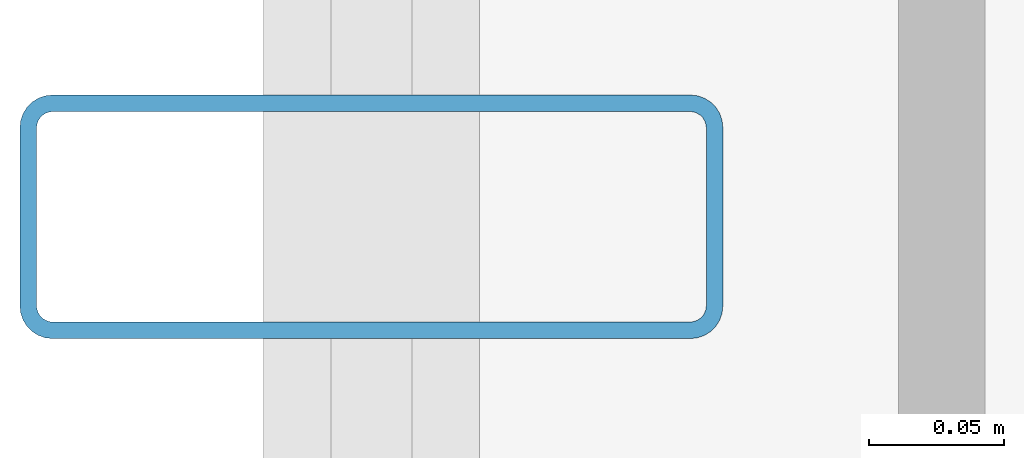
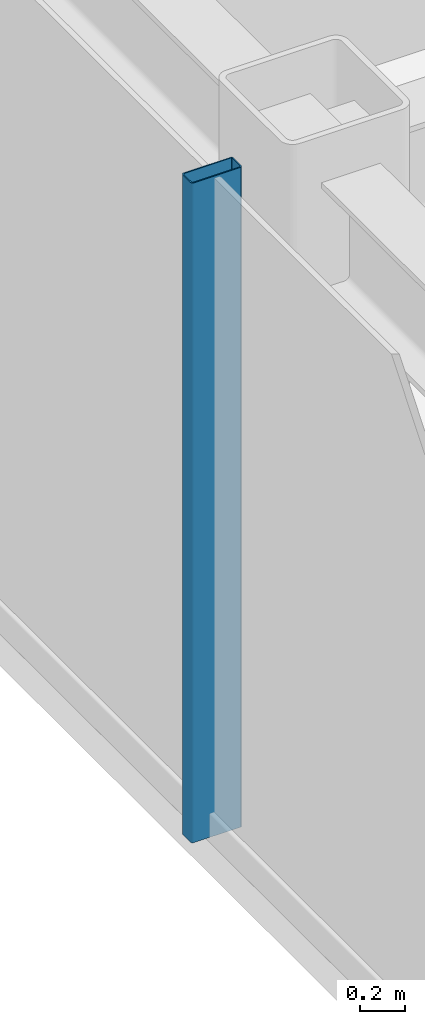
# One storey, part 4 of 18: 1 member, 1 element without a shape of its own.
"""IFC4 building model written with IfcOpenShell, lengths in metres."""

from ifc_helpers import new_model, si_unit, direction, frame, origin, origin_2d, place, context, subcontext, project, spatial, hollow_rectangle, extrude, source, transform, mapped, material, layer, layer_set, material_profile, profile_set, type_object, element, aggregate, save


model = new_model("IFC4")

# Units and contexts
model_context = context("Model", 3, precision=1e-05, world=origin(), true_north=direction((0.0, 1.0)))
body_context = subcontext(model_context, "Body", "Model", "MODEL_VIEW")
ifc_project = project(units=[si_unit("LENGTHUNIT", "METRE"), si_unit("AREAUNIT", "SQUARE_METRE"), si_unit("VOLUMEUNIT", "CUBIC_METRE"), si_unit("PLANEANGLEUNIT", "RADIAN"), si_unit("MASSUNIT", "GRAM", prefix="KILO")], contexts=[model_context])

# Site, building, storey
site_placement = place(None, origin())
site = spatial("IfcSite", under=ifc_project, at=site_placement, CompositionType="ELEMENT")
building_placement = place(site_placement, origin())
building = spatial("IfcBuilding", under=site, at=building_placement, Name="Nefas-Gora Pilgrimage Tower", CompositionType="ELEMENT")
storey_placement = place(building_placement, frame((0.0, 0.0, 283.60009765625)))
storey = spatial("IfcBuildingStorey", under=building, at=storey_placement, Name="L71", CompositionType="ELEMENT", Elevation=283.60009765625)

# Curtain wall, member
ifc_material_1 = material(Name="Dark ceramic-fritted solar-control aluminium-glass curtain wall", Category="aluminium")
ifc_layer = layer(ifc_material_1, 0.219970703125)
ifc_layer_set = layer_set([ifc_layer], Name="Dark ceramic-fritted solar-control aluminium-glass curtain wall")
curtain_wall_type = type_object("IfcCurtainWallType", Name="CW-SYS-4", PredefinedType="NOTDEFINED", material=ifc_layer_set)
curtain_wall_placement = place(storey_placement, origin())
curtain_wall = element("IfcCurtainWall", 1, at=curtain_wall_placement, inside=storey, type_object=curtain_wall_type, Name="L71 Unitised Curtain Wall CW4", PredefinedType="NOTDEFINED")
ifc_material_2 = material(Name="Anodised architectural aluminium", Category="aluminium")
ifc_material_profile = material_profile(ifc_material_2, hollow_rectangle(XDim=0.090087890625, YDim=0.260009765625, WallThickness=0.006103515625, InnerFilletRadius=0.006103515625, OuterFilletRadius=0.011962890625, at=origin_2d()), Name="ALU MULLION 90x260")
ifc_profile_set = profile_set([ifc_material_profile], Name="Anodised architectural aluminium")
member_type = type_object("IfcMemberType", Name="CWM-MUL-4", PredefinedType="MULLION", material=ifc_profile_set)
shared_shape = source(origin(), body_context, "Body", "SweptSolid", [
    extrude(hollow_rectangle(XDim=0.090087890625, YDim=0.260009765625, WallThickness=0.006103515625, InnerFilletRadius=0.006103515625, OuterFilletRadius=0.011962890625, at=origin_2d()), origin(), (0.0, 0.0, 1.0), 3.5498046875),
])
member_placement = place(storey_placement, frame((-25.27001953125, 0.0, 0.0), z_axis=(0.0, 0.0, 1.0), x_axis=(0.0, -1.0, 0.0)))
member = element("IfcMember", 2, at=member_placement, type_object=member_type, Name="CW4 Mullion 2", PredefinedType="MULLION", context=body_context, shape_type="MappedRepresentation", body=[
    mapped(shared_shape, transform((0.0, 0.0, 0.0), x_axis=(1.0, 0.0, 0.0), y_axis=(0.0, 1.0, 0.0), z_axis=(0.0, 0.0, 1.0), scale=1.0)),
])
aggregate(curtain_wall, [member])

save(model, "model.ifc")
